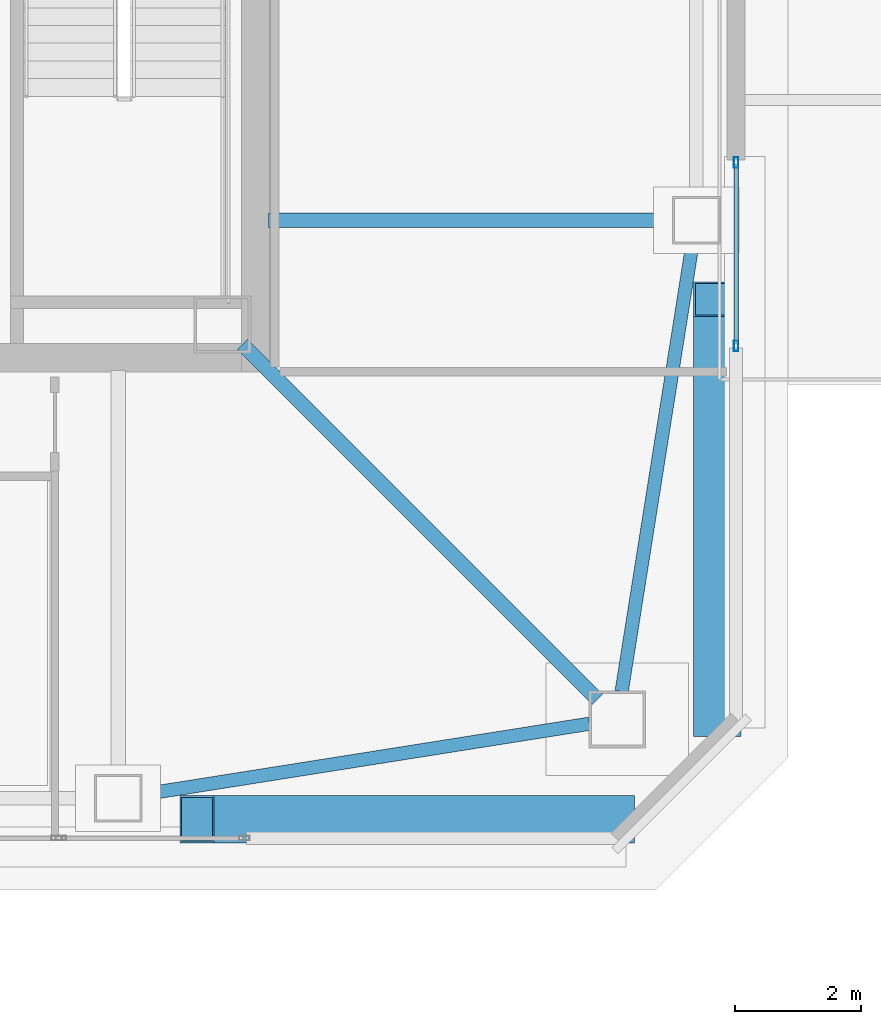
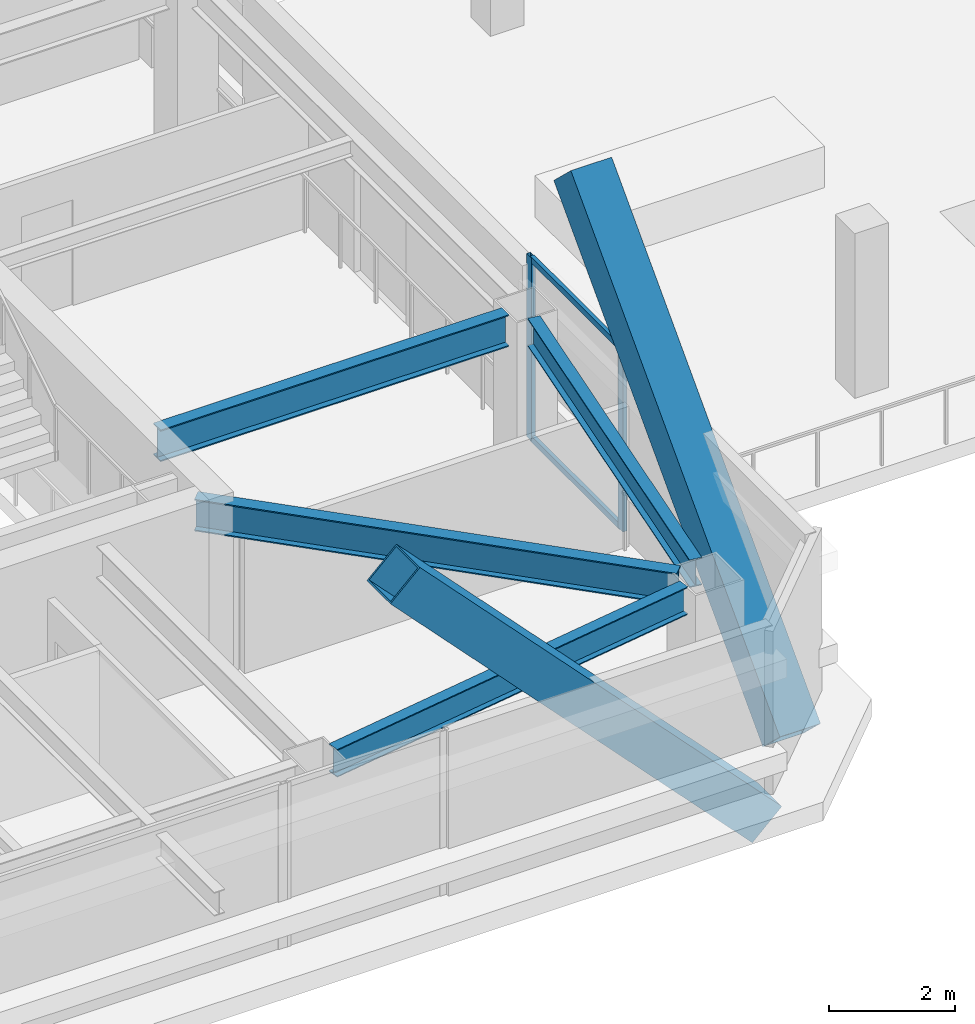
# One storey, part 9 of 37: 6 members, 4 beams, 1 element without a shape of its own.
"""IFC4 building model written with IfcOpenShell, lengths in metres."""

from ifc_helpers import new_model, si_unit, direction, frame, origin, origin_2d, place, context, subcontext, project, spatial, hollow_rectangle, i_section, extrude, material, material_profile, profile_set, type_object, element, aggregate, save


model = new_model("IFC4")

# Units and contexts
model_context = context("Model", 3, precision=1e-05, world=origin(), true_north=direction((0.0, 1.0)))
body_context = subcontext(model_context, "Body", "Model", "MODEL_VIEW")
ifc_project = project(units=[si_unit("LENGTHUNIT", "METRE"), si_unit("AREAUNIT", "SQUARE_METRE"), si_unit("VOLUMEUNIT", "CUBIC_METRE"), si_unit("PLANEANGLEUNIT", "RADIAN"), si_unit("MASSUNIT", "GRAM", prefix="KILO")], contexts=[model_context])

# Site, building, storey
site_placement = place(None, origin())
site = spatial("IfcSite", under=ifc_project, at=site_placement, CompositionType="ELEMENT")
building_placement = place(site_placement, origin())
building = spatial("IfcBuilding", under=site, at=building_placement, Name="Tashvorn Skyway Center", CompositionType="ELEMENT")
storey_placement = place(building_placement, frame((0.0, 0.0, 263.39990234375)))
storey = spatial("IfcBuildingStorey", under=building, at=storey_placement, Name="L71", CompositionType="ELEMENT", Elevation=263.39990234375)

# Beams
ifc_material_1 = material(Name="Steel ASTM A992 Grade 50", Category="steel")
ifc_material_profile_1 = material_profile(ifc_material_1, i_section(OverallWidth=0.22998046875, OverallDepth=0.616943359375, WebThickness=0.01318359375, FlangeThickness=0.022216796875, at=origin_2d()), Name="W24X94")
ifc_profile_set_1 = profile_set([ifc_material_profile_1], Name="Steel ASTM A992 Grade 50")
beam_type_1 = type_object("IfcBeamType", Name="BM-BEAM-W24X94", PredefinedType="BEAM", material=ifc_profile_set_1)
beam_1_placement = place(storey_placement, frame((54.9853515625, 19.0146484375, 3.0615234375), z_axis=(-0.707106781187, 0.707106781187, 0.0), x_axis=(-0.707106781187, -0.707106781187, 0.0)))
element("IfcBeam", 1, at=beam_1_placement, inside=storey, type_object=beam_type_1, Name="Tower 1 L71 Primary Floor Girder MC-SE", PredefinedType="BEAM", context=body_context, shape_type="SweptSolid", body=[
    extrude(i_section(OverallWidth=0.22998046875, OverallDepth=0.616943359375, WebThickness=0.01318359375, FlangeThickness=0.022216796875, at=origin_2d()), origin(), (0.0, 0.0, 1.0), 7.94873046875),
])
beam_2_placement = place(storey_placement, frame((56.179931640625, 26.60009765625, 3.0615234375), z_axis=(-1.0, 0.0, 0.0), x_axis=(0.0, -1.0, 0.0)))
element("IfcBeam", 2, at=beam_2_placement, inside=storey, type_object=beam_type_1, Name="Tower 1 L71 Primary Floor Girder FC-E1", PredefinedType="BEAM", context=body_context, shape_type="SweptSolid", body=[
    extrude(i_section(OverallWidth=0.22998046875, OverallDepth=0.616943359375, WebThickness=0.01318359375, FlangeThickness=0.022216796875, at=origin_2d()), origin(), (0.0, 0.0, 1.0), 6.39990234375),
])
ifc_material_profile_2 = material_profile(ifc_material_1, i_section(OverallWidth=0.2109375, OverallDepth=0.5390625, WebThickness=0.01171875, FlangeThickness=0.018798828125, at=origin_2d()), Name="W21X73")
ifc_profile_set_2 = profile_set([ifc_material_profile_2], Name="Steel ASTM A992 Grade 50")
beam_type_2 = type_object("IfcBeamType", Name="BM-SPANDREL-W21X73", PredefinedType="SPANDREL", material=ifc_profile_set_2)
for number, where, z_axis, x_axis, name in (
    (3, (47.765380859375, 17.5078125, 3.1005859375), (0.987713587978, 0.156274976, 0.0), (-0.156274976, 0.987713587978, 0.0), "Tower 1 L71 Spandrel Beam 03"),
    (4, (55.36962890625, 19.1396484375, 3.1005859375), (0.156274976, 0.987713587978, 0.0), (-0.987713587978, 0.156274976, 0.0), "Tower 1 L71 Spandrel Beam 04"),
):
    element("IfcBeam", number, at=place(storey_placement, frame(where, z_axis=z_axis, x_axis=x_axis)), inside=storey, type_object=beam_type_2, Name=name, PredefinedType="SPANDREL", context=body_context, shape_type="SweptSolid", body=[
        extrude(i_section(OverallWidth=0.2109375, OverallDepth=0.5390625, WebThickness=0.01171875, FlangeThickness=0.018798828125, at=origin_2d()), origin(), (0.0, 0.0, 1.0), 7.18310546875),
    ])

# Curtain wall, members
ifc_material_2 = material(Name="Thermally broken bronze-anodized aluminium 6063-T6", Category="aluminium")
curtain_wall_type = type_object("IfcCurtainWallType", Name="CW-CW-Z5", PredefinedType="NOTDEFINED", material=ifc_material_2)
curtain_wall_placement = place(storey_placement, origin())
curtain_wall = element("IfcCurtainWall", 5, at=curtain_wall_placement, inside=storey, type_object=curtain_wall_type, Name="Tower 1 L71 East Curtain Wall R Glazing Group 1", PredefinedType="NOTDEFINED")
ifc_material_profile_3 = material_profile(ifc_material_2, hollow_rectangle(XDim=0.070068359375, YDim=0.1650390625, WallThickness=0.00390625, at=origin_2d()), Name="ALU-MULL-70x165")
ifc_profile_set_3 = profile_set([ifc_material_profile_3], Name="Thermally broken bronze-anodized aluminium 6063-T6")
member_type_1 = type_object("IfcMemberType", Name="CWM-CW-Z5", PredefinedType="MULLION", material=ifc_profile_set_3)
member_1_placement = place(storey_placement, frame((57.179931640625, 27.514892578125, 0.0), z_axis=(0.0, 0.0, 1.0), x_axis=(1.0, 0.0, 0.0)))
member_1 = element("IfcMember", 6, at=member_1_placement, type_object=member_type_1, Name="CW-Z5 mullion 1", PredefinedType="MULLION", context=body_context, shape_type="SweptSolid", body=[
    extrude(hollow_rectangle(XDim=0.070068359375, YDim=0.1650390625, WallThickness=0.00390625, at=origin_2d()), origin(), (0.0, 0.0, 1.0), 3.550048828125),
])
member_2_placement = place(storey_placement, frame((57.179931640625, 24.6083984375, 0.0), z_axis=(0.0, 0.0, 1.0), x_axis=(1.0, 0.0, 0.0)))
member_2 = element("IfcMember", 7, at=member_2_placement, type_object=member_type_1, Name="CW-Z5 mullion 2", PredefinedType="MULLION", context=body_context, shape_type="SweptSolid", body=[
    extrude(hollow_rectangle(XDim=0.070068359375, YDim=0.1650390625, WallThickness=0.00390625, at=origin_2d()), origin(), (0.0, 0.0, 1.0), 3.550048828125),
])
ifc_material_profile_4 = material_profile(ifc_material_2, hollow_rectangle(XDim=0.070068359375, YDim=0.114990234375, WallThickness=0.00390625, at=origin_2d()), Name="ALU-TRAN-70x115")
ifc_profile_set_4 = profile_set([ifc_material_profile_4], Name="Thermally broken bronze-anodized aluminium 6063-T6")
member_type_2 = type_object("IfcMemberType", Name="CWT-CW-Z5", PredefinedType="USERDEFINED", material=ifc_profile_set_4)
member_3_placement = place(storey_placement, frame((57.179931640625, 27.47998046875, 0.03515625), z_axis=(0.0, -1.0, 0.0), x_axis=(1.0, 0.0, 0.0)))
member_3 = element("IfcMember", 8, at=member_3_placement, type_object=member_type_2, Name="CW-Z5 transom 1.1", ObjectType="TRANSOM", PredefinedType="USERDEFINED", context=body_context, shape_type="SweptSolid", body=[
    extrude(hollow_rectangle(XDim=0.070068359375, YDim=0.114990234375, WallThickness=0.00390625, at=origin_2d()), origin(), (0.0, 0.0, 1.0), 2.836669921875),
])
member_4_placement = place(storey_placement, frame((57.179931640625, 27.47998046875, 3.51513671875), z_axis=(0.0, -1.0, 0.0), x_axis=(1.0, 0.0, 0.0)))
member_4 = element("IfcMember", 9, at=member_4_placement, type_object=member_type_2, Name="CW-Z5 transom 1.2", ObjectType="TRANSOM", PredefinedType="USERDEFINED", context=body_context, shape_type="SweptSolid", body=[
    extrude(hollow_rectangle(XDim=0.070068359375, YDim=0.114990234375, WallThickness=0.00390625, at=origin_2d()), origin(), (0.0, 0.0, 1.0), 2.836669921875),
])
aggregate(curtain_wall, [member_1, member_2, member_3, member_4])

# Members
ifc_material_3 = material(Name="Steel ASTM A572 Grade 50", Category="steel")
ifc_material_profile_5 = material_profile(ifc_material_3, hollow_rectangle(XDim=0.75, YDim=0.75, WallThickness=0.031982421875, at=origin_2d()), Name="BOX750x750x32")
ifc_profile_set_5 = profile_set([ifc_material_profile_5], Name="Steel ASTM A572 Grade 50")
member_type_3 = type_object("IfcMemberType", Name="MEM-MB-750", PredefinedType="BRACE", material=ifc_profile_set_5)
for number, where, z_axis, x_axis, name in (
    (10, (55.300048828125, 17.1201171875, -0.31982421875), (-0.690312384492, 0.0, 0.723511445533), (0.0, -1.0, 0.0), "Tower 1 Zone 7 S Chevron Mega-Brace R1"),
    (11, (56.8798828125, 18.699951171875, -0.31982421875), (0.0, 0.690312384492, 0.723511445533), (-1.0, 0.0, 0.0), "Tower 1 Zone 7 E Chevron Mega-Brace L1"),
):
    element("IfcMember", number, at=place(storey_placement, frame(where, z_axis=z_axis, x_axis=x_axis)), inside=storey, type_object=member_type_3, Name=name, PredefinedType="BRACE", context=body_context, shape_type="SweptSolid", body=[
        extrude(hollow_rectangle(XDim=0.75, YDim=0.75, WallThickness=0.031982421875, at=origin_2d()), origin(), (0.0, 0.0, 1.0), 9.633544921875),
    ])

save(model, "model.ifc")
